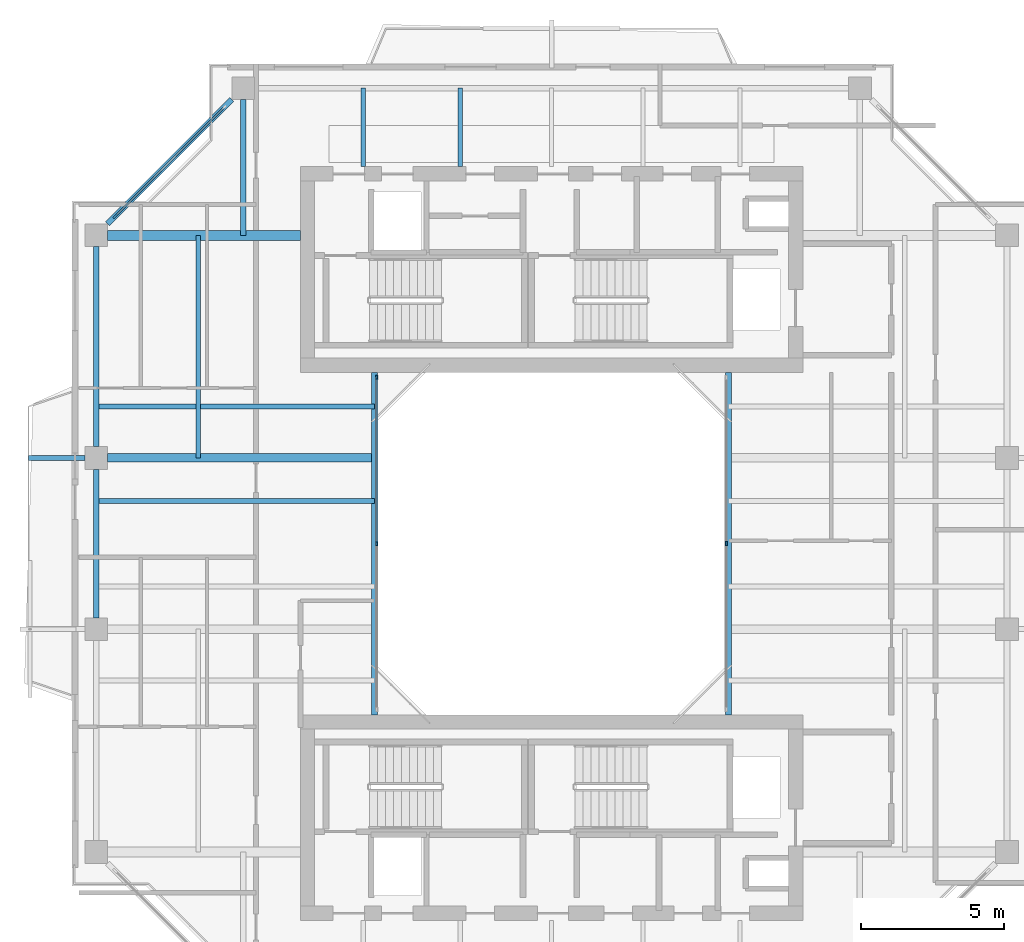
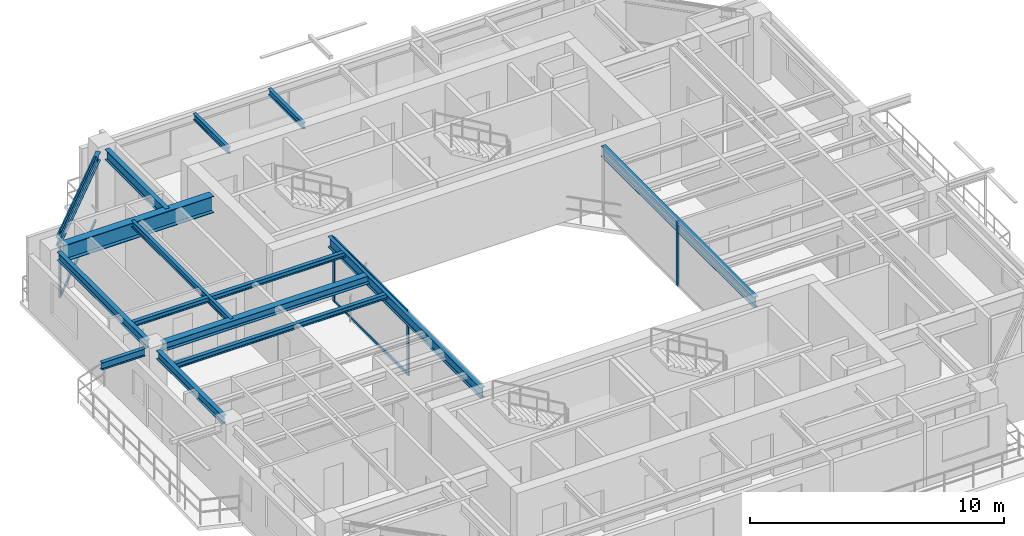
# One storey, part 5 of 16: 14 beams, 8 members, 3 elements without a shape of their own.
"""IFC4 building model written with IfcOpenShell, lengths in metres."""

import ifcopenshell
import ifcopenshell.guid

model = None  # the IFC model being written
_history = None  # IfcOwnerHistory: only IFC2X3 demands one
_inside = {}  # id of a spatial element -> (the spatial element, [elements in it])
_under = {}  # id of a project, library or spatial element -> (it, [spatial elements below it])
_declared = {}  # id of a project -> (the project, [libraries it declares])
_typed = {}  # id of a type object -> (the type object, [elements of that type])
_made_of = {}  # id of a material, layer set ... -> (it, [elements and type objects made of it])


def new_model(schema):
    """Start an empty IFC model of exactly this schema.

    Asked for "IFC4X3", IfcOpenShell would pick the latest addendum, in which some entities
    have other attributes; the version numbers below select the first issue.
    IFC2X3 requires an IfcOwnerHistory on every rooted entity: one is made here for all.
    """
    global model, _history
    if schema == "IFC4X3":
        model = ifcopenshell.file(schema_version=(4, 3, 0, 0))
    else:
        model = ifcopenshell.file(schema=schema)
    _inside.clear()
    _under.clear()
    _declared.clear()
    _typed.clear()
    _made_of.clear()
    _history = None
    if model.schema == "IFC2X3":
        org = make("IfcOrganization", Name="unknown")
        user = make(
            "IfcPersonAndOrganization",
            ThePerson=make("IfcPerson", FamilyName="unknown"),
            TheOrganization=org,
        )
        app = make(
            "IfcApplication",
            ApplicationDeveloper=org,
            Version="unknown",
            ApplicationFullName="unknown",
            ApplicationIdentifier="unknown",
        )
        _history = make(
            "IfcOwnerHistory",
            OwningUser=user,
            OwningApplication=app,
            ChangeAction="ADDED",
            CreationDate=0,
        )
    return model


def make(cls, **values):
    """One entity of the class cls with the attributes given. An attribute that is None is left unset."""
    return model.create_entity(
        cls, **{name: value for name, value in values.items() if value is not None}
    )


def rooted(cls, **values):
    """An entity with a GlobalId (a new one), such as an element, a storey or a relation."""
    return make(cls, GlobalId=ifcopenshell.guid.new(), OwnerHistory=_history, **values)


def si_unit(unit_type, name, prefix=None):
    """IfcSIUnit, for example si_unit("LENGTHUNIT", "METRE", prefix="MILLI")."""
    return make("IfcSIUnit", UnitType=unit_type, Prefix=prefix, Name=name)


def assignment(units):
    """IfcUnitAssignment: the units of a project."""
    return None if units is None else make("IfcUnitAssignment", Units=units)


def point(xyz):
    """IfcCartesianPoint."""
    return None if xyz is None else make("IfcCartesianPoint", Coordinates=xyz)


def direction(xyz):
    """IfcDirection."""
    return None if xyz is None else make("IfcDirection", DirectionRatios=xyz)


def frame(location, z_axis=None, x_axis=None):
    """IfcAxis2Placement3D, a coordinate frame: its origin and axes. An axis left out is left unset."""
    return make(
        "IfcAxis2Placement3D",
        Location=point(location),
        Axis=direction(z_axis),
        RefDirection=direction(x_axis),
    )


def frame_2d(location, x_axis=None):
    """IfcAxis2Placement2D, a coordinate frame in the plane: its origin and x axis."""
    return make(
        "IfcAxis2Placement2D", Location=point(location), RefDirection=direction(x_axis)
    )


def origin():
    """The frame at (0, 0, 0) with its axes left unset."""
    return frame((0.0, 0.0, 0.0))


def origin_2d():
    """The frame at (0, 0) in the plane with its x axis left unset."""
    return frame_2d((0.0, 0.0))


def place(relative_to, where):
    """IfcLocalPlacement: puts the frame where relative to a parent placement (None: the world)."""
    return make(
        "IfcLocalPlacement", PlacementRelTo=relative_to, RelativePlacement=where
    )


def context(
    kind, dimensions, precision=None, world=None, true_north=None, identifier=None
):
    """IfcGeometricRepresentationContext, for example the 3D "Model" context."""
    return make(
        "IfcGeometricRepresentationContext",
        ContextIdentifier=identifier,
        ContextType=kind,
        CoordinateSpaceDimension=dimensions,
        Precision=precision,
        WorldCoordinateSystem=world,
        TrueNorth=true_north,
    )


def subcontext(parent, identifier, kind, view, scale=None):
    """IfcGeometricRepresentationSubContext, for example "Body" below "Model"."""
    return make(
        "IfcGeometricRepresentationSubContext",
        ContextIdentifier=identifier,
        ContextType=kind,
        ParentContext=parent,
        TargetScale=scale,
        TargetView=view,
    )


def project(units=None, contexts=None):
    """IfcProject with its units and contexts."""
    return rooted(
        "IfcProject",
        Name="project",
        RepresentationContexts=contexts,
        UnitsInContext=assignment(units),
    )


def spatial(cls, under=None, at=None, **own):
    """A site, building, storey or space (cls), placed at a placement, below another one or the project."""
    s = rooted(cls, ObjectPlacement=at, **own)
    if under is not None:
        _under.setdefault(under.id(), (under, []))[1].append(s)
    return s


def profile(cls, at=None, kind="AREA", **sizes):
    """A parametric profile (cls). Its sizes go by their IFC names, for example OverallWidth=200.0."""
    return make(cls, ProfileType=kind, Position=at, **sizes)


def rectangle(**sizes):
    """IfcRectangleProfileDef."""
    return profile("IfcRectangleProfileDef", **sizes)


def i_section(**sizes):
    """IfcIShapeProfileDef."""
    return profile("IfcIShapeProfileDef", **sizes)


def extrude(swept, where, along, depth):
    """IfcExtrudedAreaSolid: the profile swept, set in the frame where, extruded along a direction by depth."""
    return make(
        "IfcExtrudedAreaSolid",
        SweptArea=swept,
        Position=where,
        ExtrudedDirection=direction(along),
        Depth=depth,
    )


def shape(context_of_items, identifier, shape_type, items):
    """IfcShapeRepresentation: the items that make up one representation, for example the "Body"."""
    return make(
        "IfcShapeRepresentation",
        ContextOfItems=context_of_items,
        RepresentationIdentifier=identifier,
        RepresentationType=shape_type,
        Items=items,
    )


def source(mapping_origin, context_of_items, identifier, shape_type, items):
    """IfcRepresentationMap: a shape defined once, which mapped items show again and again."""
    return make(
        "IfcRepresentationMap",
        MappingOrigin=mapping_origin,
        MappedRepresentation=shape(context_of_items, identifier, shape_type, items),
    )


def transform(
    local_origin,
    x_axis=None,
    y_axis=None,
    z_axis=None,
    scale=None,
    scale2=None,
    scale3=None,
    uniform=True,
):
    """IfcCartesianTransformationOperator3D, or its non-uniform kind. x_axis, y_axis, z_axis: its Axis1, 2, 3."""
    if uniform:
        return make(
            "IfcCartesianTransformationOperator3D",
            Axis1=direction(x_axis),
            Axis2=direction(y_axis),
            LocalOrigin=point(local_origin),
            Scale=scale,
            Axis3=direction(z_axis),
        )
    return make(
        "IfcCartesianTransformationOperator3DnonUniform",
        Axis1=direction(x_axis),
        Axis2=direction(y_axis),
        LocalOrigin=point(local_origin),
        Scale=scale,
        Axis3=direction(z_axis),
        Scale2=scale2,
        Scale3=scale3,
    )


def mapped(mapping_source, mapping_target):
    """IfcMappedItem: shows the shape of a source again, moved by a transform."""
    return make(
        "IfcMappedItem", MappingSource=mapping_source, MappingTarget=mapping_target
    )


def material(Name=None, Category=None):
    """IfcMaterial."""
    return make("IfcMaterial", Name=Name, Category=Category)


def layer(
    of_material, thickness, ventilated=None, Name=None, Category=None, Priority=None
):
    """IfcMaterialLayer: one layer of a wall or slab, of a material (None: an air gap)."""
    return make(
        "IfcMaterialLayer",
        Material=of_material,
        LayerThickness=thickness,
        IsVentilated=ventilated,
        Name=Name,
        Category=Category,
        Priority=Priority,
    )


def layer_set(layers, Name=None):
    """IfcMaterialLayerSet."""
    return make("IfcMaterialLayerSet", MaterialLayers=layers, LayerSetName=Name)


def material_profile(
    of_material, cross_section, Name=None, Category=None, Priority=None
):
    """IfcMaterialProfile: a cross section and its material."""
    return make(
        "IfcMaterialProfile",
        Name=Name,
        Material=of_material,
        Profile=cross_section,
        Priority=Priority,
        Category=Category,
    )


def profile_set(profiles, Name=None, composite=None):
    """IfcMaterialProfileSet."""
    return make(
        "IfcMaterialProfileSet",
        Name=Name,
        MaterialProfiles=profiles,
        CompositeProfile=composite,
    )


def made_of(thing, what):
    """Note that an element or type object is made of a material, layer set ...; save() writes the relation."""
    if what is not None:
        _made_of.setdefault(what.id(), (what, []))[1].append(thing)
    return thing


def type_object(cls, material=None, **own):
    """A type object (cls), such as IfcWallType, which elements share."""
    return made_of(rooted(cls, **own), material)


def element(
    cls,
    number,
    at=None,
    inside=None,
    cuts=None,
    type_object=None,
    material=None,
    context=None,
    identifier="Body",
    shape_type=None,
    held_by="IfcProductDefinitionShape",
    body=None,
    shapes=None,
    **own,
):
    """One element of the class cls, such as IfcWall. Its Tag is "e" and its number.

    at: its placement. inside: the storey or other place that contains it. cuts: it is an
    opening in that element (IfcRelVoidsElement). A single representation is given by context,
    identifier, shape_type and body (its items); several are given by shapes. held_by: the class
    of the entity that holds the representations. save() writes the other relations.
    """
    e = rooted(cls, Tag="e%d" % number, ObjectPlacement=at, **own)
    if body is not None:
        shapes = [shape(context, identifier, shape_type, body)]
    if shapes is not None:
        e.Representation = make(held_by, Representations=shapes)
    if inside is not None:
        _inside.setdefault(inside.id(), (inside, []))[1].append(e)
    if cuts is not None:
        rooted(
            "IfcRelVoidsElement", RelatingBuildingElement=cuts, RelatedOpeningElement=e
        )
    if type_object is not None:
        _typed.setdefault(type_object.id(), (type_object, []))[1].append(e)
    return made_of(e, material)


def aggregate(whole, parts):
    """IfcRelAggregates: a whole, such as a stair, and the parts it consists of."""
    return rooted("IfcRelAggregates", RelatingObject=whole, RelatedObjects=parts)


def save(model, path):
    """Write the relations noted so far, then the file.

    IfcRelAggregates (storeys below a building ...), IfcRelContainedInSpatialStructure (elements
    in a storey), IfcRelDefinesByType, IfcRelAssociatesMaterial and IfcRelDeclares: one each for
    every whole, place, type object, material and project.
    """
    for whole, parts in _under.values():
        aggregate(whole, parts)
    for where, things in _inside.values():
        rooted(
            "IfcRelContainedInSpatialStructure",
            RelatedElements=things,
            RelatingStructure=where,
        )
    for kind, things in _typed.values():
        rooted("IfcRelDefinesByType", RelatedObjects=things, RelatingType=kind)
    for what, things in _made_of.values():
        rooted("IfcRelAssociatesMaterial", RelatedObjects=things, RelatingMaterial=what)
    for by, libraries in _declared.values():
        rooted("IfcRelDeclares", RelatingContext=by, RelatedDefinitions=libraries)
    model.write(path)


model = new_model("IFC4")

# Units and contexts
model_context = context("Model", 3, precision=1e-05, world=origin(), true_north=direction((0.0, 1.0)))
body_context = subcontext(model_context, "Body", "Model", "MODEL_VIEW")
ifc_project = project(units=[si_unit("LENGTHUNIT", "METRE"), si_unit("AREAUNIT", "SQUARE_METRE"), si_unit("VOLUMEUNIT", "CUBIC_METRE"), si_unit("PLANEANGLEUNIT", "RADIAN"), si_unit("MASSUNIT", "GRAM", prefix="KILO"), si_unit("THERMODYNAMICTEMPERATUREUNIT", "KELVIN"), si_unit("POWERUNIT", "WATT")], contexts=[model_context])

# Site, building, storey
site_placement = place(None, origin())
site = spatial("IfcSite", under=ifc_project, at=site_placement, CompositionType="ELEMENT")
building_placement = place(site_placement, origin())
building = spatial("IfcBuilding", under=site, at=building_placement, Name="Qiaomeng Ring Towers", CompositionType="ELEMENT")
storey_placement = place(building_placement, frame((0.0, 0.0, 190.5)))
storey = spatial("IfcBuildingStorey", under=building, at=storey_placement, Name="L55", CompositionType="ELEMENT", Elevation=190.5)

# Beams
ifc_material_1 = material(Name="Steel Q355B", Category="steel")
ifc_material_profile_1 = material_profile(ifc_material_1, i_section(OverallWidth=0.199951171875, OverallDepth=0.5, WebThickness=0.010009765625, FlangeThickness=0.01611328125, FilletRadius=0.02001953125, at=origin_2d()), Name="HN 500x200x10x16")
ifc_profile_set_1 = profile_set([ifc_material_profile_1], Name="Steel Q355B")
beam_type_1 = type_object("IfcBeamType", Name="STR-BM-HN500", PredefinedType="BEAM", material=ifc_profile_set_1)
shared_shape_1 = source(origin(), body_context, "Body", "SweptSolid", [
    extrude(i_section(OverallWidth=0.199951171875, OverallDepth=0.5, WebThickness=0.010009765625, FlangeThickness=0.01611328125, FilletRadius=0.02001953125, at=origin_2d()), origin(), (0.0, 0.0, 1.0), 12.0),
])
for number, where, z_axis, x_axis, name in (
    (1, (12.800048828125, 17.0, 2.820068359375), (0.0, 1.0, 0.0), (-1.0, 0.0, 0.0), "L55 beam STR-BM-L55-WELL-W"),
    (2, (25.199951171875, 17.0, 2.820068359375), (0.0, 1.0, 0.0), (-1.0, 0.0, 0.0), "L55 beam STR-BM-L55-WELL-E"),
):
    element("IfcBeam", number, at=place(storey_placement, frame(where, z_axis=z_axis, x_axis=x_axis)), inside=storey, type_object=beam_type_1, Name=name, PredefinedType="BEAM", context=body_context, shape_type="MappedRepresentation", body=[
        mapped(shared_shape_1, transform((0.0, 0.0, 0.0), x_axis=(1.0, 0.0, 0.0), y_axis=(0.0, 1.0, 0.0), z_axis=(0.0, 0.0, 1.0), scale=1.0)),
    ])
ifc_material_profile_2 = material_profile(ifc_material_1, i_section(OverallWidth=0.198974609375, OverallDepth=0.39599609375, WebThickness=0.007080078125, FlangeThickness=0.010986328125, FilletRadius=0.01611328125, at=origin_2d()), Name="HN 396x199x7x11")
ifc_profile_set_2 = profile_set([ifc_material_profile_2], Name="Steel Q355B")
beam_type_2 = type_object("IfcBeamType", Name="STR-BM-HN396", PredefinedType="SPANDREL", material=ifc_profile_set_2)
shared_shape_2 = source(origin(), body_context, "Body", "SweptSolid", [
    extrude(i_section(OverallWidth=0.198974609375, OverallDepth=0.39599609375, WebThickness=0.007080078125, FlangeThickness=0.010986328125, FilletRadius=0.01611328125, at=origin_2d()), origin(), (0.0, 0.0, 1.0), 6.154052734375),
])
beam_1_placement = place(storey_placement, frame((7.80078125, 38.55078125, 2.8720703125), z_axis=(-0.707106781187, -0.707106781187, 0.0), x_axis=(0.707106781187, -0.707106781187, 0.0)))
element("IfcBeam", 3, at=beam_1_placement, inside=storey, type_object=beam_type_2, Name="L55 beam STR-SP-L55-T1-N1-W4", PredefinedType="SPANDREL", context=body_context, shape_type="MappedRepresentation", body=[
    mapped(shared_shape_2, transform((0.0, 0.0, 0.0), x_axis=(1.0, 0.0, 0.0), y_axis=(0.0, 1.0, 0.0), z_axis=(0.0, 0.0, 1.0), scale=1.0)),
])
shared_shape_3 = source(origin(), body_context, "Body", "SweptSolid", [
    extrude(i_section(OverallWidth=0.198974609375, OverallDepth=0.39599609375, WebThickness=0.007080078125, FlangeThickness=0.010986328125, FilletRadius=0.01611328125, at=origin_2d()), origin(), (0.0, 0.0, 1.0), 7.001953125),
])
beam_2_placement = place(storey_placement, frame((3.050048828125, 33.40087890625, 2.8720703125), z_axis=(0.0, -1.0, 0.0), x_axis=(1.0, 0.0, 0.0)))
element("IfcBeam", 4, at=beam_2_placement, inside=storey, type_object=beam_type_2, Name="L55 beam STR-SP-L55-T1-W4-W3", PredefinedType="SPANDREL", context=body_context, shape_type="MappedRepresentation", body=[
    mapped(shared_shape_3, transform((0.0, 0.0, 0.0), x_axis=(1.0, 0.0, 0.0), y_axis=(0.0, 1.0, 0.0), z_axis=(0.0, 0.0, 1.0), scale=1.0)),
])
shared_shape_4 = source(origin(), body_context, "Body", "SweptSolid", [
    extrude(i_section(OverallWidth=0.198974609375, OverallDepth=0.39599609375, WebThickness=0.007080078125, FlangeThickness=0.010986328125, FilletRadius=0.01611328125, at=origin_2d()), origin(), (0.0, 0.0, 1.0), 5.2021484375),
])
beam_3_placement = place(storey_placement, frame((3.050048828125, 25.60107421875, 2.8720703125), z_axis=(0.0, -1.0, 0.0), x_axis=(1.0, 0.0, 0.0)))
element("IfcBeam", 5, at=beam_3_placement, inside=storey, type_object=beam_type_2, Name="L55 beam STR-SP-L55-T1-W3-W2", PredefinedType="SPANDREL", context=body_context, shape_type="MappedRepresentation", body=[
    mapped(shared_shape_4, transform((0.0, 0.0, 0.0), x_axis=(1.0, 0.0, 0.0), y_axis=(0.0, 1.0, 0.0), z_axis=(0.0, 0.0, 1.0), scale=1.0)),
])
ifc_material_2 = material(Name="Steel Q390GJC", Category="steel")
ifc_material_profile_3 = material_profile(ifc_material_2, i_section(OverallWidth=0.35009765625, OverallDepth=0.800048828125, WebThickness=0.01611328125, FlangeThickness=0.028076171875, at=origin_2d()), Name="WH 800x350x16x28")
ifc_profile_set_3 = profile_set([ifc_material_profile_3], Name="Steel Q390GJC")
beam_type_3 = type_object("IfcBeamType", Name="STR-BM-WH800", PredefinedType="BEAM", material=ifc_profile_set_3)
shared_shape_5 = source(origin(), body_context, "Body", "SweptSolid", [
    extrude(i_section(OverallWidth=0.35009765625, OverallDepth=0.800048828125, WebThickness=0.01611328125, FlangeThickness=0.028076171875, at=origin_2d()), origin(), (0.0, 0.0, 1.0), 6.7509765625),
])
beam_4_placement = place(storey_placement, frame((3.448974609375, 33.800048828125, 2.669921875), z_axis=(1.0, 0.0, 0.0), x_axis=(0.0, 1.0, 0.0)))
element("IfcBeam", 6, at=beam_4_placement, inside=storey, type_object=beam_type_3, Name="L55 beam STR-BM-L55-T1-RAD-W4", PredefinedType="BEAM", context=body_context, shape_type="MappedRepresentation", body=[
    mapped(shared_shape_5, transform((0.0, 0.0, 0.0), x_axis=(1.0, 0.0, 0.0), y_axis=(0.0, 1.0, 0.0), z_axis=(0.0, 0.0, 1.0), scale=1.0)),
])
shared_shape_6 = source(origin(), body_context, "Body", "SweptSolid", [
    extrude(i_section(OverallWidth=0.199951171875, OverallDepth=0.5, WebThickness=0.010009765625, FlangeThickness=0.01611328125, FilletRadius=0.02001953125, at=origin_2d()), origin(), (0.0, 0.0, 1.0), 4.7509765625),
])
beam_5_placement = place(storey_placement, frame((8.199951171875, 38.551025390625, 2.820068359375), z_axis=(0.0, -1.0, 0.0), x_axis=(1.0, 0.0, 0.0)))
element("IfcBeam", 7, at=beam_5_placement, inside=storey, type_object=beam_type_1, Name="L55 beam STR-BM-L55-T1-RAD-N1", PredefinedType="BEAM", context=body_context, shape_type="MappedRepresentation", body=[
    mapped(shared_shape_6, transform((0.0, 0.0, 0.0), x_axis=(1.0, 0.0, 0.0), y_axis=(0.0, 1.0, 0.0), z_axis=(0.0, 0.0, 1.0), scale=1.0)),
])
ifc_material_profile_4 = material_profile(ifc_material_1, i_section(OverallWidth=0.300048828125, OverallDepth=0.389892578125, WebThickness=0.010009765625, FlangeThickness=0.01611328125, FilletRadius=0.02197265625, at=origin_2d()), Name="HM 390x300x10x16")
ifc_profile_set_4 = profile_set([ifc_material_profile_4], Name="Steel Q355B")
beam_type_4 = type_object("IfcBeamType", Name="STR-BM-HM390", PredefinedType="BEAM", material=ifc_profile_set_4)
shared_shape_7 = source(origin(), body_context, "Body", "SweptSolid", [
    extrude(i_section(OverallWidth=0.300048828125, OverallDepth=0.389892578125, WebThickness=0.010009765625, FlangeThickness=0.01611328125, FilletRadius=0.02197265625, at=origin_2d()), origin(), (0.0, 0.0, 1.0), 9.35107421875),
])
beam_6_placement = place(storey_placement, frame((3.448974609375, 26.0, 2.875), z_axis=(1.0, 0.0, 0.0), x_axis=(0.0, 1.0, 0.0)))
element("IfcBeam", 8, at=beam_6_placement, inside=storey, type_object=beam_type_4, Name="L55 beam STR-BM-L55-T1-RAD-W3", PredefinedType="BEAM", context=body_context, shape_type="MappedRepresentation", body=[
    mapped(shared_shape_7, transform((0.0, 0.0, 0.0), x_axis=(1.0, 0.0, 0.0), y_axis=(0.0, 1.0, 0.0), z_axis=(0.0, 0.0, 1.0), scale=1.0)),
])
ifc_material_profile_5 = material_profile(ifc_material_1, i_section(OverallWidth=0.14990234375, OverallDepth=0.300048828125, WebThickness=0.006591796875, FlangeThickness=0.009033203125, FilletRadius=0.012939453125, at=origin_2d()), Name="HN 300x150x6.5x9")
ifc_profile_set_5 = profile_set([ifc_material_profile_5], Name="Steel Q355B")
beam_type_5 = type_object("IfcBeamType", Name="STR-BM-HN300", PredefinedType="JOIST", material=ifc_profile_set_5)
shared_shape_8 = source(origin(), body_context, "Body", "SweptSolid", [
    extrude(i_section(OverallWidth=0.14990234375, OverallDepth=0.300048828125, WebThickness=0.006591796875, FlangeThickness=0.009033203125, FilletRadius=0.012939453125, at=origin_2d()), origin(), (0.0, 0.0, 1.0), 2.75),
])
for number, where, z_axis, x_axis, name in (
    (9, (12.39990234375, 36.199951171875, 2.919921875), (0.0, 1.0, 0.0), (-1.0, 0.0, 0.0), "L55 beam STR-JST-L55-T1N-1"),
    (10, (15.800048828125, 36.199951171875, 2.919921875), (0.0, 1.0, 0.0), (-1.0, 0.0, 0.0), "L55 beam STR-JST-L55-T1N-2"),
):
    element("IfcBeam", number, at=place(storey_placement, frame(where, z_axis=z_axis, x_axis=x_axis)), inside=storey, type_object=beam_type_5, Name=name, PredefinedType="JOIST", context=body_context, shape_type="MappedRepresentation", body=[
        mapped(shared_shape_8, transform((0.0, 0.0, 0.0), x_axis=(1.0, 0.0, 0.0), y_axis=(0.0, 1.0, 0.0), z_axis=(0.0, 0.0, 1.0), scale=1.0)),
    ])
ifc_material_profile_6 = material_profile(ifc_material_1, i_section(OverallWidth=0.175048828125, OverallDepth=0.243896484375, WebThickness=0.007080078125, FlangeThickness=0.010986328125, FilletRadius=0.01611328125, at=origin_2d()), Name="HM 244x175x7x11")
ifc_profile_set_6 = profile_set([ifc_material_profile_6], Name="Steel Q355B")
beam_type_6 = type_object("IfcBeamType", Name="STR-BM-HM244", PredefinedType="JOIST", material=ifc_profile_set_6)
shared_shape_9 = source(origin(), body_context, "Body", "SweptSolid", [
    extrude(i_section(OverallWidth=0.175048828125, OverallDepth=0.243896484375, WebThickness=0.007080078125, FlangeThickness=0.010986328125, FilletRadius=0.01611328125, at=origin_2d()), origin(), (0.0, 0.0, 1.0), 9.75),
])
for number, where, z_axis, x_axis, name in (
    (11, (3.050048828125, 24.5, 2.947998046875), (1.0, 0.0, 0.0), (0.0, 1.0, 0.0), "L55 beam STR-JST-L55-T1W-3"),
    (12, (3.050048828125, 27.800048828125, 2.947998046875), (1.0, 0.0, 0.0), (0.0, 1.0, 0.0), "L55 beam STR-JST-L55-T1W-4"),
):
    element("IfcBeam", number, at=place(storey_placement, frame(where, z_axis=z_axis, x_axis=x_axis)), inside=storey, type_object=beam_type_6, Name=name, PredefinedType="JOIST", context=body_context, shape_type="MappedRepresentation", body=[
        mapped(shared_shape_9, transform((0.0, 0.0, 0.0), x_axis=(1.0, 0.0, 0.0), y_axis=(0.0, 1.0, 0.0), z_axis=(0.0, 0.0, 1.0), scale=1.0)),
    ])
shared_shape_10 = source(origin(), body_context, "Body", "SweptSolid", [
    extrude(i_section(OverallWidth=0.14990234375, OverallDepth=0.300048828125, WebThickness=0.006591796875, FlangeThickness=0.009033203125, FilletRadius=0.012939453125, at=origin_2d()), origin(), (0.0, 0.0, 1.0), 7.800048828125),
])
beam_7_placement = place(storey_placement, frame((6.625, 26.0, 2.919921875), z_axis=(0.0, 1.0, 0.0), x_axis=(-1.0, 0.0, 0.0)))
element("IfcBeam", 13, at=beam_7_placement, inside=storey, type_object=beam_type_5, Name="L55 beam STR-JST-L55-T1C-WN", PredefinedType="JOIST", context=body_context, shape_type="MappedRepresentation", body=[
    mapped(shared_shape_10, transform((0.0, 0.0, 0.0), x_axis=(1.0, 0.0, 0.0), y_axis=(0.0, 1.0, 0.0), z_axis=(0.0, 0.0, 1.0), scale=1.0)),
])
ifc_material_profile_7 = material_profile(ifc_material_1, i_section(OverallWidth=0.175048828125, OverallDepth=0.35009765625, WebThickness=0.007080078125, FlangeThickness=0.010986328125, FilletRadius=0.013916015625, at=origin_2d()), Name="HN 350x175x7x11")
ifc_profile_set_7 = profile_set([ifc_material_profile_7], Name="Steel Q355B")
beam_type_7 = type_object("IfcBeamType", Name="STR-BM-HN350", PredefinedType="JOIST", material=ifc_profile_set_7)
shared_shape_11 = source(origin(), body_context, "Body", "SweptSolid", [
    extrude(i_section(OverallWidth=0.175048828125, OverallDepth=0.35009765625, WebThickness=0.007080078125, FlangeThickness=0.010986328125, FilletRadius=0.013916015625, at=origin_2d()), origin(), (0.0, 0.0, 1.0), 1.970947265625),
])
beam_8_placement = place(storey_placement, frame((0.679931640625, 26.0, 2.89501953125), z_axis=(1.0, 0.0, 0.0), x_axis=(0.0, 1.0, 0.0)))
element("IfcBeam", 14, at=beam_8_placement, inside=storey, type_object=beam_type_7, Name="L55 beam STR-BALBM-L55-W3", PredefinedType="JOIST", context=body_context, shape_type="MappedRepresentation", body=[
    mapped(shared_shape_11, transform((0.0, 0.0, 0.0), x_axis=(1.0, 0.0, 0.0), y_axis=(0.0, 1.0, 0.0), z_axis=(0.0, 0.0, 1.0), scale=1.0)),
])

# Curtain wall, members
ifc_material_3 = material(Name="Fluorocarbon dark-grey aluminium", Category="aluminium")
ifc_layer_1 = layer(ifc_material_3, 0.139892578125, Name="Fluorocarbon dark-grey aluminium")
ifc_layer_set_1 = layer_set([ifc_layer_1], Name="Fluorocarbon dark-grey aluminium")
curtain_wall_type_1 = type_object("IfcCurtainWallType", Name="ARC-CW-4", PredefinedType="NOTDEFINED", material=ifc_layer_set_1)
curtain_wall_1_placement = place(storey_placement, origin())
curtain_wall_1 = element("IfcCurtainWall", 15, at=curtain_wall_1_placement, inside=storey, type_object=curtain_wall_type_1, Name="L55 Curtain Wall CW4", PredefinedType="NOTDEFINED")
ifc_material_profile_8 = material_profile(ifc_material_3, rectangle(XDim=0.06494140625, YDim=0.159912109375, at=origin_2d()), Name="ALU MULL 65x160")
ifc_profile_set_8 = profile_set([ifc_material_profile_8], Name="Fluorocarbon dark-grey aluminium")
member_type_1 = type_object("IfcMemberType", Name="ARC-CWM-140", PredefinedType="MULLION", material=ifc_profile_set_8)
shared_shape_12 = source(origin(), body_context, "Body", "SweptSolid", [
    extrude(rectangle(XDim=0.06494140625, YDim=0.159912109375, at=origin_2d()), origin(), (0.0, 0.0, 1.0), 3.070068359375),
])
member_1_placement = place(storey_placement, frame((12.8798828125, 23.0, 0.0), z_axis=(0.0, 0.0, 1.0), x_axis=(-1.0, 0.0, 0.0)))
member_1 = element("IfcMember", 16, at=member_1_placement, type_object=member_type_1, Name="CW4 mullion 2", PredefinedType="MULLION", context=body_context, shape_type="MappedRepresentation", body=[
    mapped(shared_shape_12, transform((0.0, 0.0, 0.0), x_axis=(1.0, 0.0, 0.0), y_axis=(0.0, 1.0, 0.0), z_axis=(0.0, 0.0, 1.0), scale=1.0)),
])
member_2_placement = place(storey_placement, frame((12.8798828125, 28.8173828125, 0.0), z_axis=(0.0, 0.0, 1.0), x_axis=(-1.0, 0.0, 0.0)))
member_2 = element("IfcMember", 17, at=member_2_placement, type_object=member_type_1, Name="CW4 mullion 3", PredefinedType="MULLION", context=body_context, shape_type="MappedRepresentation", body=[
    mapped(shared_shape_12, transform((0.0, 0.0, 0.0), x_axis=(1.0, 0.0, 0.0), y_axis=(0.0, 1.0, 0.0), z_axis=(0.0, 0.0, 1.0), scale=1.0)),
])

# Curtain wall, member
curtain_wall_2_placement = place(storey_placement, origin())
curtain_wall_2 = element("IfcCurtainWall", 18, at=curtain_wall_2_placement, inside=storey, type_object=curtain_wall_type_1, Name="L55 Curtain Wall CW4", PredefinedType="NOTDEFINED")
member_3_placement = place(storey_placement, frame((25.1201171875, 23.0, 0.0), z_axis=(0.0, 0.0, 1.0), x_axis=(-1.0, 0.0, 0.0)))
member_3 = element("IfcMember", 19, at=member_3_placement, type_object=member_type_1, Name="CW4 mullion 2", PredefinedType="MULLION", context=body_context, shape_type="MappedRepresentation", body=[
    mapped(shared_shape_12, transform((0.0, 0.0, 0.0), x_axis=(1.0, 0.0, 0.0), y_axis=(0.0, 1.0, 0.0), z_axis=(0.0, 0.0, 1.0), scale=1.0)),
])
aggregate(curtain_wall_2, [member_3])

# Member
ifc_material_profile_9 = material_profile(ifc_material_3, rectangle(XDim=0.06494140625, YDim=0.1298828125, at=origin_2d()), Name="ALU TRAN 65x130")
ifc_profile_set_9 = profile_set([ifc_material_profile_9], Name="Fluorocarbon dark-grey aluminium")
member_type_2 = type_object("IfcMemberType", Name="ARC-CWT-120", PredefinedType="USERDEFINED", material=ifc_profile_set_9)
shared_shape_13 = source(origin(), body_context, "Body", "SweptSolid", [
    extrude(rectangle(XDim=0.06494140625, YDim=0.1298828125, at=origin_2d()), origin(), (0.0, 0.0, 1.0), 5.75244140625),
])
member_4_placement = place(storey_placement, frame((12.8798828125, 23.032470703125, 0.032470703125), z_axis=(0.0, 1.0, 0.0), x_axis=(-1.0, 0.0, 0.0)))
member_4 = element("IfcMember", 20, at=member_4_placement, type_object=member_type_2, Name="CW4 transom 2.1", ObjectType="TRANSOM", PredefinedType="USERDEFINED", context=body_context, shape_type="MappedRepresentation", body=[
    mapped(shared_shape_13, transform((0.0, 0.0, 0.0), x_axis=(1.0, 0.0, 0.0), y_axis=(0.0, 1.0, 0.0), z_axis=(0.0, 0.0, 1.0), scale=1.0)),
])

member_5_placement = place(storey_placement, frame((12.8798828125, 23.032470703125, 3.03759765625), z_axis=(0.0, 1.0, 0.0), x_axis=(-1.0, 0.0, 0.0)))
member_5 = element("IfcMember", 21, at=member_5_placement, type_object=member_type_2, Name="CW4 transom 2.2", ObjectType="TRANSOM", PredefinedType="USERDEFINED", context=body_context, shape_type="MappedRepresentation", body=[
    mapped(shared_shape_13, transform((0.0, 0.0, 0.0), x_axis=(1.0, 0.0, 0.0), y_axis=(0.0, 1.0, 0.0), z_axis=(0.0, 0.0, 1.0), scale=1.0)),
])

aggregate(curtain_wall_1, [member_1, member_2, member_4, member_5])

# Curtain wall, members
ifc_layer_2 = layer(ifc_material_3, 0.14990234375, Name="Fluorocarbon dark-grey aluminium")
ifc_layer_set_2 = layer_set([ifc_layer_2], Name="Fluorocarbon dark-grey aluminium")
curtain_wall_type_2 = type_object("IfcCurtainWallType", Name="ARC-CW-3", PredefinedType="NOTDEFINED", material=ifc_layer_set_2)
curtain_wall_3_placement = place(storey_placement, origin())
curtain_wall_3 = element("IfcCurtainWall", 22, at=curtain_wall_3_placement, inside=storey, type_object=curtain_wall_type_2, Name="L55 Curtain Wall CW3", PredefinedType="NOTDEFINED")
ifc_material_profile_10 = material_profile(ifc_material_3, rectangle(XDim=0.070068359375, YDim=0.179931640625, at=origin_2d()), Name="ALU MULL 70x180")
ifc_profile_set_10 = profile_set([ifc_material_profile_10], Name="Fluorocarbon dark-grey aluminium")
member_type_3 = type_object("IfcMemberType", Name="ARC-CWM-160", PredefinedType="MULLION", material=ifc_profile_set_10)
shared_shape_14 = source(origin(), body_context, "Body", "SweptSolid", [
    extrude(rectangle(XDim=0.070068359375, YDim=0.179931640625, at=origin_2d()), origin(), (0.0, 0.0, 1.0), 3.070068359375),
])
member_6_placement = place(storey_placement, frame((3.71484375, 34.46484375, 0.0), z_axis=(0.0, 0.0, 1.0), x_axis=(0.707106781187, -0.707106781187, 0.0)))
member_6 = element("IfcMember", 23, at=member_6_placement, type_object=member_type_3, Name="CW3 mullion 2", PredefinedType="MULLION", context=body_context, shape_type="MappedRepresentation", body=[
    mapped(shared_shape_14, transform((0.0, 0.0, 0.0), x_axis=(1.0, 0.0, 0.0), y_axis=(0.0, 1.0, 0.0), z_axis=(0.0, 0.0, 1.0), scale=1.0)),
])
shared_shape_15 = source(origin(), body_context, "Body", "SweptSolid", [
    extrude(rectangle(XDim=0.06494140625, YDim=0.1298828125, at=origin_2d()), origin(), (0.0, 0.0, 1.0), 5.3330078125),
])
member_7_placement = place(storey_placement, frame((7.510498046875, 38.260498046875, 0.032470703125), z_axis=(-0.707106781187, -0.707106781187, 0.0), x_axis=(0.707106781187, -0.707106781187, 0.0)))
member_7 = element("IfcMember", 24, at=member_7_placement, type_object=member_type_2, Name="CW3 transom 1.1", ObjectType="TRANSOM", PredefinedType="USERDEFINED", context=body_context, shape_type="MappedRepresentation", body=[
    mapped(shared_shape_15, transform((0.0, 0.0, 0.0), x_axis=(1.0, 0.0, 0.0), y_axis=(0.0, 1.0, 0.0), z_axis=(0.0, 0.0, 1.0), scale=1.0)),
])
member_8_placement = place(storey_placement, frame((7.510498046875, 38.260498046875, 3.03759765625), z_axis=(-0.707106781187, -0.707106781187, 0.0), x_axis=(0.707106781187, -0.707106781187, 0.0)))
member_8 = element("IfcMember", 25, at=member_8_placement, type_object=member_type_2, Name="CW3 transom 1.2", ObjectType="TRANSOM", PredefinedType="USERDEFINED", context=body_context, shape_type="MappedRepresentation", body=[
    mapped(shared_shape_15, transform((0.0, 0.0, 0.0), x_axis=(1.0, 0.0, 0.0), y_axis=(0.0, 1.0, 0.0), z_axis=(0.0, 0.0, 1.0), scale=1.0)),
])
aggregate(curtain_wall_3, [member_6, member_7, member_8])

save(model, "model.ifc")
